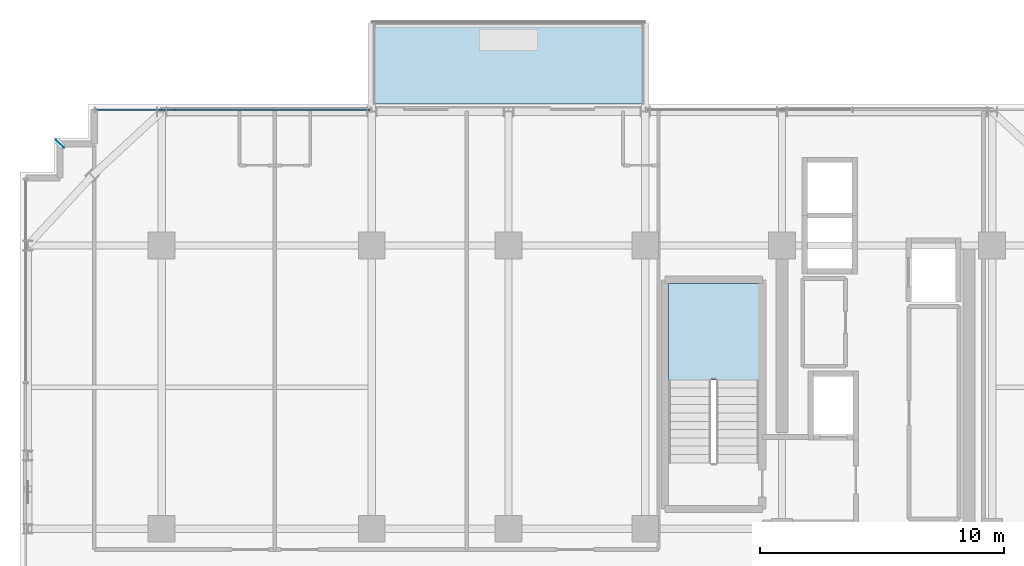
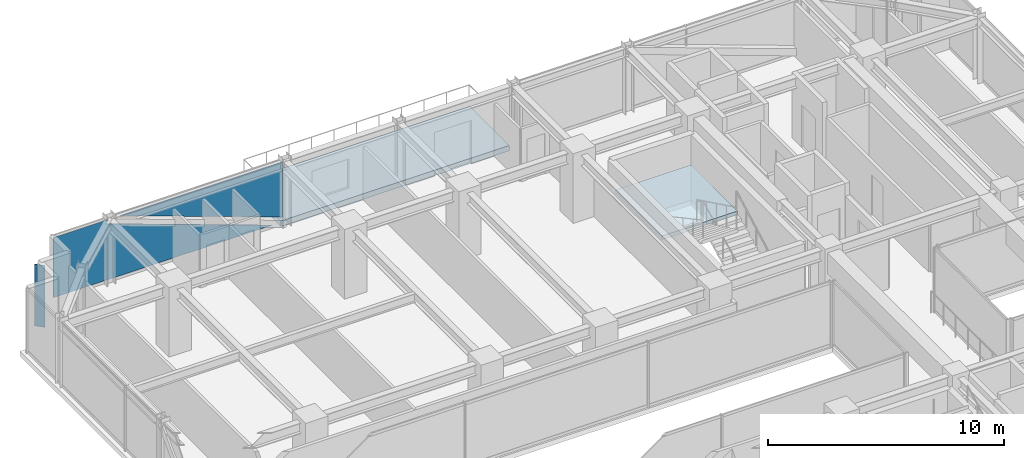
# One storey, part 32 of 41: 2 plates, 2 slabs, 2 elements without a shape of their own.
"""IFC4 building model written with IfcOpenShell, lengths in metres."""

from ifc_helpers import new_model, si_unit, direction, frame, origin, origin_2d, place, context, subcontext, project, spatial, polyline, rectangle, outline, extrude, source, transform, mapped, material, layer, layer_set, type_object, element, aggregate, save


model = new_model("IFC4")

# Units and contexts
model_context = context("Model", 3, precision=1e-05, world=origin(), true_north=direction((0.0, 1.0)))
body_context = subcontext(model_context, "Body", "Model", "MODEL_VIEW")
ifc_project = project(units=[si_unit("LENGTHUNIT", "METRE"), si_unit("AREAUNIT", "SQUARE_METRE"), si_unit("VOLUMEUNIT", "CUBIC_METRE"), si_unit("PLANEANGLEUNIT", "RADIAN"), si_unit("MASSUNIT", "GRAM", prefix="KILO")], contexts=[model_context])

# Site, building, storey
site_placement = place(None, origin())
site = spatial("IfcSite", under=ifc_project, at=site_placement, CompositionType="ELEMENT")
building_placement = place(site_placement, origin())
building = spatial("IfcBuilding", under=site, at=building_placement, Name="Nahalor Promenade Grand Hotel", CompositionType="ELEMENT")
storey_placement = place(building_placement, frame((0.0, 0.0, 159.949951171875)))
storey = spatial("IfcBuildingStorey", under=building, at=storey_placement, Name="L40", CompositionType="ELEMENT", Elevation=159.949951171875)

# Curtain wall, plate
ifc_material_1 = material(Name="Anodised Bronze Aluminium EN AW-6063 T6", Category="aluminium")
curtain_wall_type = type_object("IfcCurtainWallType", Name="CW3 Elliptical-Void Collar Unitised Curtain Wall", PredefinedType="USERDEFINED", material=ifc_material_1)
curtain_wall_placement = place(storey_placement, origin())
curtain_wall = element("IfcCurtainWall", 1, at=curtain_wall_placement, inside=storey, type_object=curtain_wall_type, Name="L40 Curtain Wall CW-L40-N-1", ObjectType="UNITISED_CURTAIN_WALL", PredefinedType="USERDEFINED")
ifc_material_2 = material(Name="Low-E Laminated Solar Glass", Category="glass")
ifc_layer_1 = layer(ifc_material_2, 0.030029296875)
ifc_layer_set_1 = layer_set([ifc_layer_1], Name="Low-E Laminated Solar Glass")
plate_type_1 = type_object("IfcPlateType", Name="CWP3 High-Wind Laminated Bronze IGU 30mm", PredefinedType="CURTAIN_PANEL", material=ifc_layer_set_1)
plate_1_placement = place(storey_placement, frame((-14.080078125, 22.56005859375, 0.14013671875), z_axis=(0.0, 0.0, 1.0), x_axis=(1.0, 0.0, 0.0)))
plate_1 = element("IfcPlate", 2, at=plate_1_placement, type_object=plate_type_1, Name="CW-L40-N-1 Glazing Panel 0-0", PredefinedType="CURTAIN_PANEL", context=body_context, shape_type="SweptSolid", body=[
    extrude(outline(polyline([(-5.610107421875, 3.110107421875), (-5.610107421875, 0.0), (5.116455078125, 0.0), (-3.01123046875, 2.920166015625), (-2.94287109375, 3.110107421875), (-5.610107421875, 3.110107421875)])), frame((0.0, 0.01513671875, 0.0), z_axis=(0.0, -1.0, 0.0), x_axis=(1.0, 0.0, 0.0)), (0.0, 0.0, 1.0), 0.030029296875),
    extrude(outline(polyline([(5.610107421875, 0.24755859375), (5.610107421875, 3.110107421875), (-2.3564453125, 3.110107421875), (5.610107421875, 0.24755859375)])), frame((0.0, 0.01513671875, 0.0), z_axis=(0.0, -1.0, 0.0), x_axis=(1.0, 0.0, 0.0)), (0.0, 0.0, 1.0), 0.030029296875),
])
aggregate(curtain_wall, [plate_1])

# Stair, slab
ifc_material_3 = material(Name="Concrete B-50 (C40/50)", Category="concrete")
stair_type = type_object("IfcStairType", Name="Stair-ST1", PredefinedType="HALF_TURN_STAIR", material=ifc_material_3)
stair_placement = place(storey_placement, origin())
stair = element("IfcStair", 3, at=stair_placement, inside=storey, type_object=stair_type, Name="L40 ST1", PredefinedType="HALF_TURN_STAIR")
ifc_layer_2 = layer(ifc_material_3, 0.199951171875)
ifc_layer_set_2 = layer_set([ifc_layer_2], Name="Concrete B-50 (C40/50)")
slab_type_1 = type_object("IfcSlabType", Name="Landing-ST1", PredefinedType="LANDING", material=ifc_layer_set_2)
slab_1_placement = place(storey_placement, frame((0.0, 0.0, 1.625)))
slab_1 = element("IfcSlab", 4, at=slab_1_placement, type_object=slab_type_1, Name="ST1 landing 1", PredefinedType="LANDING", context=body_context, shape_type="SweptSolid", body=[
    extrude(outline(polyline([(7.449951171875, 11.5), (7.449951171875, 15.449951171875), (3.75, 15.449951171875), (3.75, 11.5), (7.449951171875, 11.5)])), origin(), (0.0, 0.0, 1.0), 0.199951171875),
])
aggregate(stair, [slab_1])

# Slab
ifc_layer_3 = layer(ifc_material_3, 0.280029296875)
ifc_layer_set_3 = layer_set([ifc_layer_3], Name="Concrete B-50 (C40/50)")
slab_type_2 = type_object("IfcSlabType", Name="Slab-Balcony-280", PredefinedType="FLOOR", material=ifc_layer_set_3)
slab_2_placement = place(storey_placement, frame((0.0, 0.0, -0.280029296875)))
element("IfcSlab", 5, at=slab_2_placement, inside=storey, type_object=slab_type_2, Name="L40 Cantilevered Planted Balcony 1", PredefinedType="FLOOR", context=body_context, shape_type="SweptSolid", body=[
    extrude(outline(polyline([(-8.39990234375, 22.800048828125), (2.800048828125, 22.800048828125), (2.800048828125, 26.159912109375), (-8.39990234375, 26.159912109375), (-8.39990234375, 22.800048828125)])), origin(), (0.0, 0.0, 1.0), 0.280029296875),
])

# Plate
ifc_layer_4 = layer(ifc_material_1, 0.02001953125)
ifc_layer_set_4 = layer_set([ifc_layer_4], Name="Anodised Bronze Aluminium EN AW-6063 T6")
plate_type_2 = type_object("IfcPlateType", Name="Plate-CornerFin-20", PredefinedType="SHEET", material=ifc_layer_set_4)
shared_shape = source(origin(), body_context, "Body", "SweptSolid", [
    extrude(rectangle(XDim=0.449951171875, YDim=0.02001953125, at=origin_2d()), origin(), (0.0, 0.0, 1.0), 3.199951171875),
])
plate_2_placement = place(storey_placement, frame((-21.159912109375, 21.159912109375, 0.0), z_axis=(0.0, 0.0, 1.0), x_axis=(-0.707106781187, 0.707106781187, 0.0)))
element("IfcPlate", 6, at=plate_2_placement, inside=storey, type_object=plate_type_2, Name="FIN-L40-NW", PredefinedType="SHEET", context=body_context, shape_type="MappedRepresentation", body=[
    mapped(shared_shape, transform((0.0, 0.0, 0.0), scale=1.0)),
])

save(model, "model.ifc")
